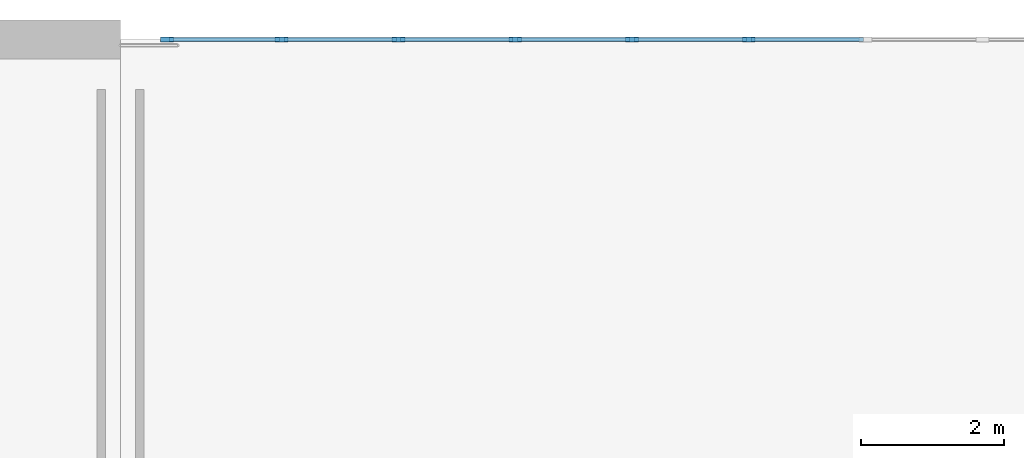
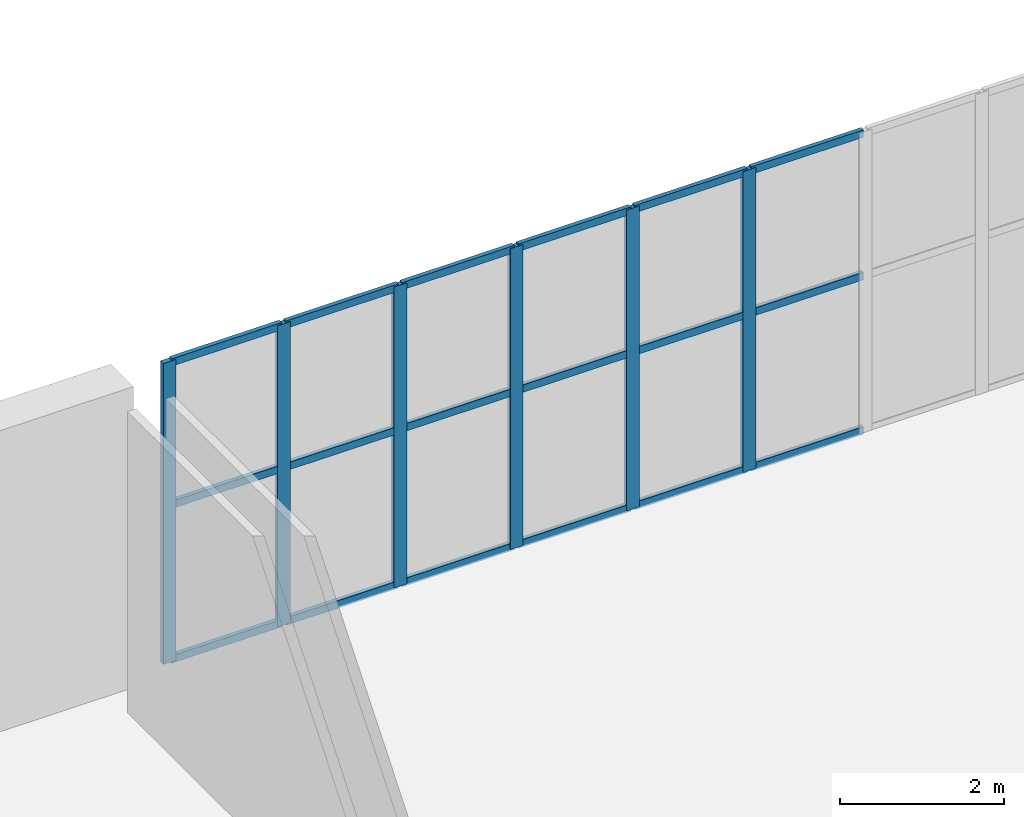
# One storey, part 66 of 142: 24 members, 1 element without a shape of its own.
"""IFC4 building model written with IfcOpenShell, lengths in metres."""

from ifc_helpers import new_model, si_unit, direction, frame, origin, origin_2d, place, context, subcontext, project, spatial, rectangle, extrude, material, material_profile, profile_set, type_object, element, aggregate, save


model = new_model("IFC4")

# Units and contexts
model_context = context("Model", 3, precision=1e-05, world=origin(), true_north=direction((0.0, 1.0)))
body_context = subcontext(model_context, "Body", "Model", "MODEL_VIEW")
ifc_project = project(units=[si_unit("LENGTHUNIT", "METRE"), si_unit("AREAUNIT", "SQUARE_METRE"), si_unit("VOLUMEUNIT", "CUBIC_METRE"), si_unit("PLANEANGLEUNIT", "RADIAN"), si_unit("MASSUNIT", "GRAM", prefix="KILO")], contexts=[model_context])

# Site, building, storey
site_placement = place(None, origin())
site = spatial("IfcSite", under=ifc_project, at=site_placement, CompositionType="ELEMENT")
building_placement = place(site_placement, origin())
building = spatial("IfcBuilding", under=site, at=building_placement, Name="Koshinbarg Plaza Stadium", CompositionType="ELEMENT")
storey_placement = place(building_placement, frame((0.0, 0.0, 10.199951171875)))
storey = spatial("IfcBuildingStorey", under=building, at=storey_placement, Name="L02", CompositionType="ELEMENT", Elevation=10.199951171875)

# Curtain wall, members
ifc_material_1 = material(Name="Thermally broken anodised aluminium and low-E double glazing", Category="aluminium")
curtain_wall_type = type_object("IfcCurtainWallType", Name="CW-SYS-03", PredefinedType="NOTDEFINED", material=ifc_material_1)
curtain_wall_placement = place(storey_placement, origin())
curtain_wall = element("IfcCurtainWall", 1, at=curtain_wall_placement, inside=storey, type_object=curtain_wall_type, Name="L02 unitised curtain wall CW-L02-050", PredefinedType="NOTDEFINED")
ifc_material_2 = material(Name="Anodised aluminium mullion", Category="aluminium")
ifc_material_profile_1 = material_profile(ifc_material_2, rectangle(XDim=0.070068359375, YDim=0.179931640625, at=origin_2d()), Name="ALU 70x180")
ifc_profile_set_1 = profile_set([ifc_material_profile_1], Name="Anodised aluminium mullion")
member_type_1 = type_object("IfcMemberType", Name="CW-MUL-03", PredefinedType="MULLION", material=ifc_profile_set_1)
member_1_placement = place(storey_placement, frame((122.64990234375, 152.0, 0.0), z_axis=(0.0, 0.0, 1.0), x_axis=(0.0, 1.0, 0.0)))
member_1 = element("IfcMember", 2, at=member_1_placement, type_object=member_type_1, Name="CW03 mullion 1", PredefinedType="MULLION", context=body_context, shape_type="SweptSolid", body=[
    extrude(rectangle(XDim=0.070068359375, YDim=0.179931640625, at=origin_2d()), origin(), (0.0, 0.0, 1.0), 4.47998046875),
])
member_2_placement = place(storey_placement, frame((124.258056640625, 152.0, 0.0), z_axis=(0.0, 0.0, 1.0), x_axis=(0.0, 1.0, 0.0)))
member_2 = element("IfcMember", 3, at=member_2_placement, type_object=member_type_1, Name="CW03 mullion 2", PredefinedType="MULLION", context=body_context, shape_type="SweptSolid", body=[
    extrude(rectangle(XDim=0.070068359375, YDim=0.179931640625, at=origin_2d()), origin(), (0.0, 0.0, 1.0), 4.47998046875),
])
member_3_placement = place(storey_placement, frame((125.89599609375, 152.0, 0.0), z_axis=(0.0, 0.0, 1.0), x_axis=(0.0, 1.0, 0.0)))
member_3 = element("IfcMember", 4, at=member_3_placement, type_object=member_type_1, Name="CW03 mullion 3", PredefinedType="MULLION", context=body_context, shape_type="SweptSolid", body=[
    extrude(rectangle(XDim=0.070068359375, YDim=0.179931640625, at=origin_2d()), origin(), (0.0, 0.0, 1.0), 4.47998046875),
])
member_4_placement = place(storey_placement, frame((127.533935546875, 152.0, 0.0), z_axis=(0.0, 0.0, 1.0), x_axis=(0.0, 1.0, 0.0)))
member_4 = element("IfcMember", 5, at=member_4_placement, type_object=member_type_1, Name="CW03 mullion 4", PredefinedType="MULLION", context=body_context, shape_type="SweptSolid", body=[
    extrude(rectangle(XDim=0.070068359375, YDim=0.179931640625, at=origin_2d()), origin(), (0.0, 0.0, 1.0), 4.47998046875),
])
member_5_placement = place(storey_placement, frame((129.172119140625, 152.0, 0.0), z_axis=(0.0, 0.0, 1.0), x_axis=(0.0, 1.0, 0.0)))
member_5 = element("IfcMember", 6, at=member_5_placement, type_object=member_type_1, Name="CW03 mullion 5", PredefinedType="MULLION", context=body_context, shape_type="SweptSolid", body=[
    extrude(rectangle(XDim=0.070068359375, YDim=0.179931640625, at=origin_2d()), origin(), (0.0, 0.0, 1.0), 4.47998046875),
])
member_6_placement = place(storey_placement, frame((130.81005859375, 152.0, 0.0), z_axis=(0.0, 0.0, 1.0), x_axis=(0.0, 1.0, 0.0)))
member_6 = element("IfcMember", 7, at=member_6_placement, type_object=member_type_1, Name="CW03 mullion 6", PredefinedType="MULLION", context=body_context, shape_type="SweptSolid", body=[
    extrude(rectangle(XDim=0.070068359375, YDim=0.179931640625, at=origin_2d()), origin(), (0.0, 0.0, 1.0), 4.47998046875),
])
ifc_material_3 = material(Name="Anodised aluminium transom", Category="aluminium")
ifc_material_profile_2 = material_profile(ifc_material_3, rectangle(XDim=0.06005859375, YDim=0.110107421875, at=origin_2d()), Name="ALU 60x110")
ifc_profile_set_2 = profile_set([ifc_material_profile_2], Name="Anodised aluminium transom")
member_type_2 = type_object("IfcMemberType", Name="CW-TRN-01", PredefinedType="USERDEFINED", material=ifc_profile_set_2)
member_7_placement = place(storey_placement, frame((122.679931640625, 152.0, 0.030029296875), z_axis=(1.0, 0.0, 0.0), x_axis=(0.0, 1.0, 0.0)))
member_7 = element("IfcMember", 8, at=member_7_placement, type_object=member_type_2, Name="CW03 transom 1.1", ObjectType="TRANSOM", PredefinedType="USERDEFINED", context=body_context, shape_type="SweptSolid", body=[
    extrude(rectangle(XDim=0.06005859375, YDim=0.110107421875, at=origin_2d()), origin(), (0.0, 0.0, 1.0), 1.548095703125),
])
member_8_placement = place(storey_placement, frame((122.679931640625, 152.0, 2.32958984375), z_axis=(1.0, 0.0, 0.0), x_axis=(0.0, 1.0, 0.0)))
member_8 = element("IfcMember", 9, at=member_8_placement, type_object=member_type_2, Name="CW03 transom 1.2", ObjectType="TRANSOM", PredefinedType="USERDEFINED", context=body_context, shape_type="SweptSolid", body=[
    extrude(rectangle(XDim=0.06005859375, YDim=0.110107421875, at=origin_2d()), origin(), (0.0, 0.0, 1.0), 1.548095703125),
])
member_9_placement = place(storey_placement, frame((122.679931640625, 152.0, 4.449951171875), z_axis=(1.0, 0.0, 0.0), x_axis=(0.0, 1.0, 0.0)))
member_9 = element("IfcMember", 10, at=member_9_placement, type_object=member_type_2, Name="CW03 transom 1.3", ObjectType="TRANSOM", PredefinedType="USERDEFINED", context=body_context, shape_type="SweptSolid", body=[
    extrude(rectangle(XDim=0.06005859375, YDim=0.110107421875, at=origin_2d()), origin(), (0.0, 0.0, 1.0), 1.548095703125),
])
member_10_placement = place(storey_placement, frame((124.2880859375, 152.0, 0.030029296875), z_axis=(1.0, 0.0, 0.0), x_axis=(0.0, 1.0, 0.0)))
member_10 = element("IfcMember", 11, at=member_10_placement, type_object=member_type_2, Name="CW03 transom 2.1", ObjectType="TRANSOM", PredefinedType="USERDEFINED", context=body_context, shape_type="SweptSolid", body=[
    extrude(rectangle(XDim=0.06005859375, YDim=0.110107421875, at=origin_2d()), origin(), (0.0, 0.0, 1.0), 1.577880859375),
])
member_11_placement = place(storey_placement, frame((124.2880859375, 152.0, 2.32958984375), z_axis=(1.0, 0.0, 0.0), x_axis=(0.0, 1.0, 0.0)))
member_11 = element("IfcMember", 12, at=member_11_placement, type_object=member_type_2, Name="CW03 transom 2.2", ObjectType="TRANSOM", PredefinedType="USERDEFINED", context=body_context, shape_type="SweptSolid", body=[
    extrude(rectangle(XDim=0.06005859375, YDim=0.110107421875, at=origin_2d()), origin(), (0.0, 0.0, 1.0), 1.577880859375),
])
member_12_placement = place(storey_placement, frame((124.2880859375, 152.0, 4.449951171875), z_axis=(1.0, 0.0, 0.0), x_axis=(0.0, 1.0, 0.0)))
member_12 = element("IfcMember", 13, at=member_12_placement, type_object=member_type_2, Name="CW03 transom 2.3", ObjectType="TRANSOM", PredefinedType="USERDEFINED", context=body_context, shape_type="SweptSolid", body=[
    extrude(rectangle(XDim=0.06005859375, YDim=0.110107421875, at=origin_2d()), origin(), (0.0, 0.0, 1.0), 1.577880859375),
])
member_13_placement = place(storey_placement, frame((125.926025390625, 152.0, 0.030029296875), z_axis=(1.0, 0.0, 0.0), x_axis=(0.0, 1.0, 0.0)))
member_13 = element("IfcMember", 14, at=member_13_placement, type_object=member_type_2, Name="CW03 transom 3.1", ObjectType="TRANSOM", PredefinedType="USERDEFINED", context=body_context, shape_type="SweptSolid", body=[
    extrude(rectangle(XDim=0.06005859375, YDim=0.110107421875, at=origin_2d()), origin(), (0.0, 0.0, 1.0), 1.577880859375),
])
member_14_placement = place(storey_placement, frame((125.926025390625, 152.0, 2.32958984375), z_axis=(1.0, 0.0, 0.0), x_axis=(0.0, 1.0, 0.0)))
member_14 = element("IfcMember", 15, at=member_14_placement, type_object=member_type_2, Name="CW03 transom 3.2", ObjectType="TRANSOM", PredefinedType="USERDEFINED", context=body_context, shape_type="SweptSolid", body=[
    extrude(rectangle(XDim=0.06005859375, YDim=0.110107421875, at=origin_2d()), origin(), (0.0, 0.0, 1.0), 1.577880859375),
])
member_15_placement = place(storey_placement, frame((125.926025390625, 152.0, 4.449951171875), z_axis=(1.0, 0.0, 0.0), x_axis=(0.0, 1.0, 0.0)))
member_15 = element("IfcMember", 16, at=member_15_placement, type_object=member_type_2, Name="CW03 transom 3.3", ObjectType="TRANSOM", PredefinedType="USERDEFINED", context=body_context, shape_type="SweptSolid", body=[
    extrude(rectangle(XDim=0.06005859375, YDim=0.110107421875, at=origin_2d()), origin(), (0.0, 0.0, 1.0), 1.577880859375),
])
member_16_placement = place(storey_placement, frame((127.56396484375, 152.0, 0.030029296875), z_axis=(1.0, 0.0, 0.0), x_axis=(0.0, 1.0, 0.0)))
member_16 = element("IfcMember", 17, at=member_16_placement, type_object=member_type_2, Name="CW03 transom 4.1", ObjectType="TRANSOM", PredefinedType="USERDEFINED", context=body_context, shape_type="SweptSolid", body=[
    extrude(rectangle(XDim=0.06005859375, YDim=0.110107421875, at=origin_2d()), origin(), (0.0, 0.0, 1.0), 1.578125),
])
member_17_placement = place(storey_placement, frame((127.56396484375, 152.0, 2.32958984375), z_axis=(1.0, 0.0, 0.0), x_axis=(0.0, 1.0, 0.0)))
member_17 = element("IfcMember", 18, at=member_17_placement, type_object=member_type_2, Name="CW03 transom 4.2", ObjectType="TRANSOM", PredefinedType="USERDEFINED", context=body_context, shape_type="SweptSolid", body=[
    extrude(rectangle(XDim=0.06005859375, YDim=0.110107421875, at=origin_2d()), origin(), (0.0, 0.0, 1.0), 1.578125),
])
member_18_placement = place(storey_placement, frame((127.56396484375, 152.0, 4.449951171875), z_axis=(1.0, 0.0, 0.0), x_axis=(0.0, 1.0, 0.0)))
member_18 = element("IfcMember", 19, at=member_18_placement, type_object=member_type_2, Name="CW03 transom 4.3", ObjectType="TRANSOM", PredefinedType="USERDEFINED", context=body_context, shape_type="SweptSolid", body=[
    extrude(rectangle(XDim=0.06005859375, YDim=0.110107421875, at=origin_2d()), origin(), (0.0, 0.0, 1.0), 1.578125),
])
member_19_placement = place(storey_placement, frame((129.201904296875, 152.0, 0.030029296875), z_axis=(1.0, 0.0, 0.0), x_axis=(0.0, 1.0, 0.0)))
member_19 = element("IfcMember", 20, at=member_19_placement, type_object=member_type_2, Name="CW03 transom 5.1", ObjectType="TRANSOM", PredefinedType="USERDEFINED", context=body_context, shape_type="SweptSolid", body=[
    extrude(rectangle(XDim=0.06005859375, YDim=0.110107421875, at=origin_2d()), origin(), (0.0, 0.0, 1.0), 1.578125),
])
member_20_placement = place(storey_placement, frame((129.201904296875, 152.0, 2.32958984375), z_axis=(1.0, 0.0, 0.0), x_axis=(0.0, 1.0, 0.0)))
member_20 = element("IfcMember", 21, at=member_20_placement, type_object=member_type_2, Name="CW03 transom 5.2", ObjectType="TRANSOM", PredefinedType="USERDEFINED", context=body_context, shape_type="SweptSolid", body=[
    extrude(rectangle(XDim=0.06005859375, YDim=0.110107421875, at=origin_2d()), origin(), (0.0, 0.0, 1.0), 1.578125),
])
member_21_placement = place(storey_placement, frame((129.201904296875, 152.0, 4.449951171875), z_axis=(1.0, 0.0, 0.0), x_axis=(0.0, 1.0, 0.0)))
member_21 = element("IfcMember", 22, at=member_21_placement, type_object=member_type_2, Name="CW03 transom 5.3", ObjectType="TRANSOM", PredefinedType="USERDEFINED", context=body_context, shape_type="SweptSolid", body=[
    extrude(rectangle(XDim=0.06005859375, YDim=0.110107421875, at=origin_2d()), origin(), (0.0, 0.0, 1.0), 1.578125),
])
member_22_placement = place(storey_placement, frame((130.840087890625, 152.0, 0.030029296875), z_axis=(1.0, 0.0, 0.0), x_axis=(0.0, 1.0, 0.0)))
member_22 = element("IfcMember", 23, at=member_22_placement, type_object=member_type_2, Name="CW03 transom 6.1", ObjectType="TRANSOM", PredefinedType="USERDEFINED", context=body_context, shape_type="SweptSolid", body=[
    extrude(rectangle(XDim=0.06005859375, YDim=0.110107421875, at=origin_2d()), origin(), (0.0, 0.0, 1.0), 1.577880859375),
])
member_23_placement = place(storey_placement, frame((130.840087890625, 152.0, 2.32958984375), z_axis=(1.0, 0.0, 0.0), x_axis=(0.0, 1.0, 0.0)))
member_23 = element("IfcMember", 24, at=member_23_placement, type_object=member_type_2, Name="CW03 transom 6.2", ObjectType="TRANSOM", PredefinedType="USERDEFINED", context=body_context, shape_type="SweptSolid", body=[
    extrude(rectangle(XDim=0.06005859375, YDim=0.110107421875, at=origin_2d()), origin(), (0.0, 0.0, 1.0), 1.577880859375),
])
member_24_placement = place(storey_placement, frame((130.840087890625, 152.0, 4.449951171875), z_axis=(1.0, 0.0, 0.0), x_axis=(0.0, 1.0, 0.0)))
member_24 = element("IfcMember", 25, at=member_24_placement, type_object=member_type_2, Name="CW03 transom 6.3", ObjectType="TRANSOM", PredefinedType="USERDEFINED", context=body_context, shape_type="SweptSolid", body=[
    extrude(rectangle(XDim=0.06005859375, YDim=0.110107421875, at=origin_2d()), origin(), (0.0, 0.0, 1.0), 1.577880859375),
])
aggregate(curtain_wall, [member_1, member_2, member_3, member_4, member_5, member_6, member_7, member_8, member_9, member_10, member_11, member_12, member_13, member_14, member_15, member_16, member_17, member_18, member_19, member_20, member_21, member_22, member_23, member_24])

save(model, "model.ifc")
